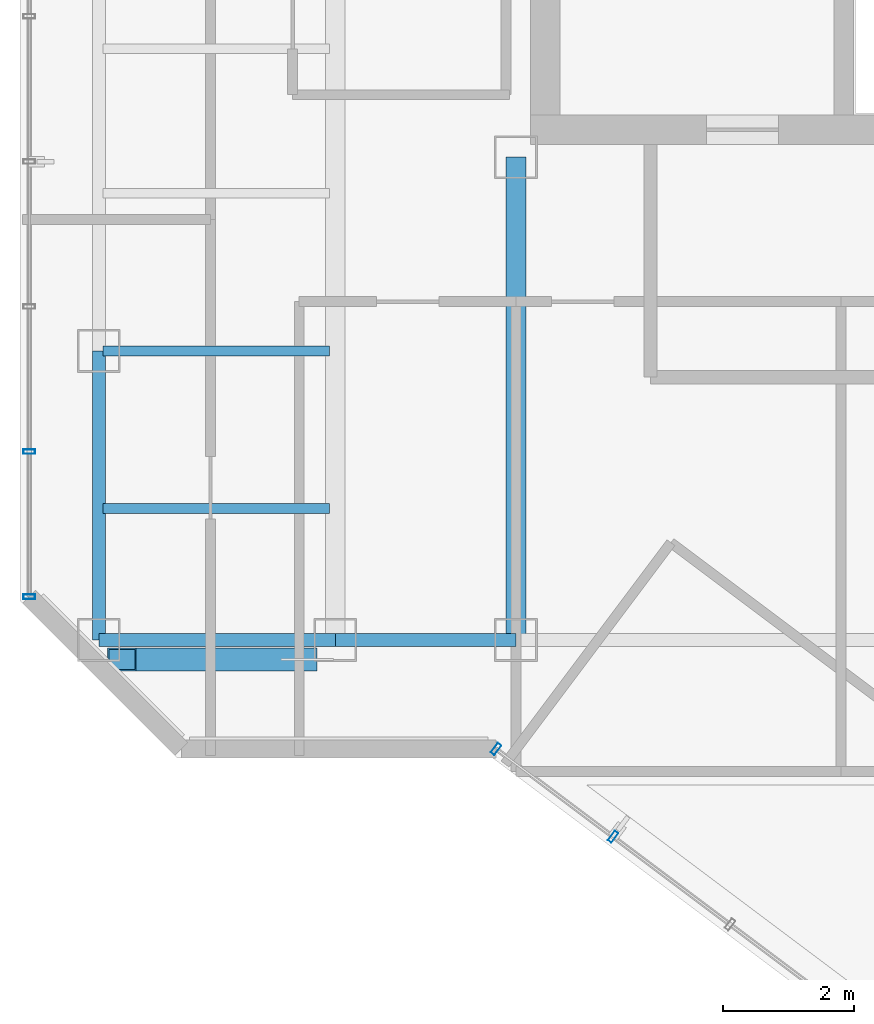
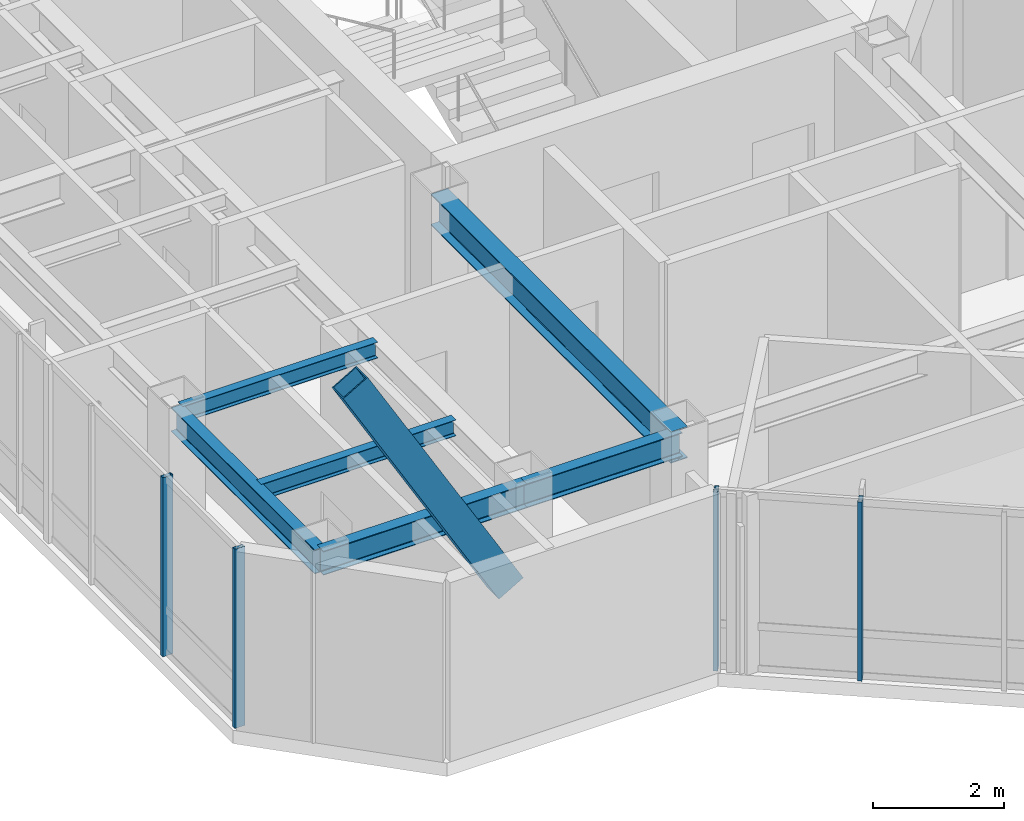
# One storey, part 3 of 22: 6 beams, 5 members, 2 elements without a shape of their own.
"""IFC4 building model written with IfcOpenShell, lengths in metres."""

from ifc_helpers import new_model, si_unit, direction, frame, origin, origin_2d, place, context, subcontext, project, spatial, hollow_rectangle, i_section, extrude, material, layer, layer_set, material_profile, profile_set, type_object, element, aggregate, save


model = new_model("IFC4")

# Units and contexts
model_context = context("Model", 3, precision=1e-05, world=origin(), true_north=direction((0.0, 1.0)))
body_context = subcontext(model_context, "Body", "Model", "MODEL_VIEW")
ifc_project = project(units=[si_unit("LENGTHUNIT", "METRE"), si_unit("AREAUNIT", "SQUARE_METRE"), si_unit("VOLUMEUNIT", "CUBIC_METRE"), si_unit("PLANEANGLEUNIT", "RADIAN"), si_unit("MASSUNIT", "GRAM", prefix="KILO")], contexts=[model_context])

# Site, building, storey
site_placement = place(None, origin())
site = spatial("IfcSite", under=ifc_project, at=site_placement, CompositionType="ELEMENT")
building_placement = place(site_placement, origin())
building = spatial("IfcBuilding", under=site, at=building_placement, Name="Hatsunagi Terrace Concourse", CompositionType="ELEMENT")
storey_placement = place(building_placement, frame((0.0, 0.0, 243.14990234375)))
storey = spatial("IfcBuildingStorey", under=building, at=storey_placement, Name="L64", CompositionType="ELEMENT", Elevation=243.14990234375)

# Curtain wall, members
ifc_material_1 = material(Name="Anodised Aluminium Alloy 6063-T5", Category="aluminium")
ifc_layer = layer(ifc_material_1, 0.199951171875)
ifc_layer_set = layer_set([ifc_layer], Name="OfficeZone2_CW04")
curtain_wall_type = type_object("IfcCurtainWallType", Name="OfficeZone2_CW04", PredefinedType="NOTDEFINED", material=ifc_layer_set)
curtain_wall_1_placement = place(storey_placement, origin())
curtain_wall_1 = element("IfcCurtainWall", 1, at=curtain_wall_1_placement, inside=storey, type_object=curtain_wall_type, Name="Unitised Curtain Wall CW-04 CW-L64-05", PredefinedType="NOTDEFINED")
ifc_material_2 = material(Name="Anodised Aluminium Alloy 6063-T5", Category="aluminium")
ifc_material_profile_1 = material_profile(ifc_material_2, hollow_rectangle(XDim=0.070068359375, YDim=0.179931640625, WallThickness=0.00390625, at=origin_2d()), Name="ALU-MUL-180x70x4")
ifc_profile_set_1 = profile_set([ifc_material_profile_1], Name="Anodised Aluminium Alloy 6063-T5")
member_type_1 = type_object("IfcMemberType", Name="CurtainWallMullion_180x70", PredefinedType="MULLION", material=ifc_profile_set_1)
member_1_placement = place(storey_placement, frame((27.029052734375, 22.2041015625, 0.0), z_axis=(0.0, 0.0, 1.0), x_axis=(-0.800007305671, 0.599990258982, 0.0)))
member_1 = element("IfcMember", 2, at=member_1_placement, type_object=member_type_1, Name="Curtain Wall Mullion MUL-02", PredefinedType="MULLION", context=body_context, shape_type="SweptSolid", body=[
    extrude(hollow_rectangle(XDim=0.070068359375, YDim=0.179931640625, WallThickness=0.00390625, at=origin_2d()), origin(), (0.0, 0.0, 1.0), 3.35009765625),
])
member_2_placement = place(storey_placement, frame((25.2470703125, 23.5400390625, 0.0), z_axis=(0.0, 0.0, 1.0), x_axis=(-0.800007305671, 0.599990258982, 0.0)))
member_2 = element("IfcMember", 3, at=member_2_placement, type_object=member_type_1, Name="Curtain Wall Mullion MUL-02", PredefinedType="MULLION", context=body_context, shape_type="SweptSolid", body=[
    extrude(hollow_rectangle(XDim=0.070068359375, YDim=0.179931640625, WallThickness=0.00390625, at=origin_2d()), origin(), (0.0, 0.0, 1.0), 3.35009765625),
])
aggregate(curtain_wall_1, [member_1, member_2])

curtain_wall_2_placement = place(storey_placement, origin())
curtain_wall_2 = element("IfcCurtainWall", 4, at=curtain_wall_2_placement, inside=storey, type_object=curtain_wall_type, Name="Unitised Curtain Wall CW-04 CW-L64-08", PredefinedType="NOTDEFINED")
member_3_placement = place(storey_placement, frame((18.139892578125, 25.85791015625, 0.0), z_axis=(0.0, 0.0, 1.0), x_axis=(0.0, 1.0, 0.0)))
member_3 = element("IfcMember", 5, at=member_3_placement, type_object=member_type_1, Name="Curtain Wall Mullion MUL-02", PredefinedType="MULLION", context=body_context, shape_type="SweptSolid", body=[
    extrude(hollow_rectangle(XDim=0.070068359375, YDim=0.179931640625, WallThickness=0.00390625, at=origin_2d()), origin(), (0.0, 0.0, 1.0), 3.35009765625),
])
member_4_placement = place(storey_placement, frame((18.139892578125, 28.06591796875, 0.0), z_axis=(0.0, 0.0, 1.0), x_axis=(0.0, 1.0, 0.0)))
member_4 = element("IfcMember", 6, at=member_4_placement, type_object=member_type_1, Name="Curtain Wall Mullion MUL-02", PredefinedType="MULLION", context=body_context, shape_type="SweptSolid", body=[
    extrude(hollow_rectangle(XDim=0.070068359375, YDim=0.179931640625, WallThickness=0.00390625, at=origin_2d()), origin(), (0.0, 0.0, 1.0), 3.35009765625),
])
aggregate(curtain_wall_2, [member_3, member_4])

# Beams
ifc_material_3 = material(Name="Steel SN490B", Category="steel")
ifc_material_profile_2 = material_profile(ifc_material_3, i_section(OverallWidth=0.300048828125, OverallDepth=0.587890625, WebThickness=0.011962890625, FlangeThickness=0.02001953125, FilletRadius=0.01806640625, at=origin_2d()), Name="H-588x300x12x20")
ifc_profile_set_2 = profile_set([ifc_material_profile_2], Name="Steel SN490B")
beam_type_1 = type_object("IfcBeamType", Name="OfficeHighGirder_H_588x300", PredefinedType="BEAM", material=ifc_profile_set_2)
beam_1_placement = place(storey_placement, frame((25.550048828125, 25.199951171875, 3.05615234375), z_axis=(0.0, 1.0, 0.0), x_axis=(-1.0, 0.0, 0.0)))
element("IfcBeam", 7, at=beam_1_placement, inside=storey, type_object=beam_type_1, Name="Beam G-06 BM-L64-K1CA", PredefinedType="BEAM", context=body_context, shape_type="SweptSolid", body=[
    extrude(i_section(OverallWidth=0.300048828125, OverallDepth=0.587890625, WebThickness=0.011962890625, FlangeThickness=0.02001953125, FilletRadius=0.01806640625, at=origin_2d()), origin(), (0.0, 0.0, 1.0), 7.35009765625),
])
ifc_material_4 = material(Name="Steel SN490B", Category="steel")
ifc_material_profile_3 = material_profile(ifc_material_4, i_section(OverallWidth=0.14990234375, OverallDepth=0.300048828125, WebThickness=0.006591796875, FlangeThickness=0.009033203125, FilletRadius=0.010986328125, at=origin_2d()), Name="H-300x150x6.5x9")
ifc_profile_set_3 = profile_set([ifc_material_profile_3], Name="Steel SN490B")
beam_type_2 = type_object("IfcBeamType", Name="OfficeJoist_H_300x150", PredefinedType="JOIST", material=ifc_profile_set_3)
for number, where, z_axis, x_axis, name in (
    (8, (19.264892578125, 27.199951171875, 3.2001953125), (1.0, 0.0, 0.0), (0.0, 1.0, 0.0), "Beam J-03 J-L64-W-19-272"),
    (9, (19.264892578125, 29.60009765625, 3.2001953125), (1.0, 0.0, 0.0), (0.0, 1.0, 0.0), "Beam J-03 J-L64-W-19-296"),
):
    element("IfcBeam", number, at=place(storey_placement, frame(where, z_axis=z_axis, x_axis=x_axis)), inside=storey, type_object=beam_type_2, Name=name, PredefinedType="JOIST", context=body_context, shape_type="SweptSolid", body=[
        extrude(i_section(OverallWidth=0.14990234375, OverallDepth=0.300048828125, WebThickness=0.006591796875, FlangeThickness=0.009033203125, FilletRadius=0.010986328125, at=origin_2d()), origin(), (0.0, 0.0, 1.0), 3.4501953125),
    ])
ifc_material_5 = material(Name="Steel SN490B", Category="steel")
ifc_material_profile_4 = material_profile(ifc_material_5, i_section(OverallWidth=0.199951171875, OverallDepth=0.449951171875, WebThickness=0.009033203125, FlangeThickness=0.013916015625, FilletRadius=0.01611328125, at=origin_2d()), Name="H-450x200x9x14")
ifc_profile_set_4 = profile_set([ifc_material_profile_4], Name="Steel SN490B")
beam_type_3 = type_object("IfcBeamType", Name="PerimeterSpandrel_H_450x200", PredefinedType="SPANDREL", material=ifc_profile_set_4)
beam_2_placement = place(storey_placement, frame((19.199951171875, 25.199951171875, 3.125), z_axis=(1.0, 0.0, 0.0), x_axis=(0.0, 1.0, 0.0)))
element("IfcBeam", 10, at=beam_2_placement, inside=storey, type_object=beam_type_3, Name="Beam SP-02 BM-L64-WS-19", PredefinedType="SPANDREL", context=body_context, shape_type="SweptSolid", body=[
    extrude(i_section(OverallWidth=0.199951171875, OverallDepth=0.449951171875, WebThickness=0.009033203125, FlangeThickness=0.013916015625, FilletRadius=0.01611328125, at=origin_2d()), origin(), (0.0, 0.0, 1.0), 3.60009765625),
])
beam_3_placement = place(storey_placement, frame((22.800048828125, 25.199951171875, 3.125), z_axis=(1.0, 0.0, 0.0), x_axis=(0.0, 1.0, 0.0)))
element("IfcBeam", 11, at=beam_3_placement, inside=storey, type_object=beam_type_3, Name="Beam SP-02 BM-L64-WS-22", PredefinedType="SPANDREL", context=body_context, shape_type="SweptSolid", body=[
    extrude(i_section(OverallWidth=0.199951171875, OverallDepth=0.449951171875, WebThickness=0.009033203125, FlangeThickness=0.013916015625, FilletRadius=0.01611328125, at=origin_2d()), origin(), (0.0, 0.0, 1.0), 2.75),
])
beam_4_placement = place(storey_placement, frame((19.199951171875, 25.199951171875, 3.125), z_axis=(0.0, 1.0, 0.0), x_axis=(-1.0, 0.0, 0.0)))
element("IfcBeam", 12, at=beam_4_placement, inside=storey, type_object=beam_type_3, Name="Beam SP-02 BM-L64-NS-19-25", PredefinedType="SPANDREL", context=body_context, shape_type="SweptSolid", body=[
    extrude(i_section(OverallWidth=0.199951171875, OverallDepth=0.449951171875, WebThickness=0.009033203125, FlangeThickness=0.013916015625, FilletRadius=0.01611328125, at=origin_2d()), origin(), (0.0, 0.0, 1.0), 4.400146484375),
])

# Member
ifc_material_6 = material(Name="Steel SN490B", Category="steel")
ifc_material_profile_5 = material_profile(ifc_material_6, hollow_rectangle(XDim=0.35009765625, YDim=0.5, WallThickness=0.02197265625, at=origin_2d()), Name="RHS-500x350x22")
ifc_profile_set_5 = profile_set([ifc_material_profile_5], Name="Steel SN490B")
member_type_2 = type_object("IfcMemberType", Name="PerimeterXBrace_Upper_RHS_500x350x22", PredefinedType="BRACE", material=ifc_profile_set_5)
member_5_placement = place(storey_placement, frame((19.550048828125, 24.89990234375, 6.510009765625), z_axis=(0.504438138691, 0.0, -0.863447835271), x_axis=(0.0, 1.0, 0.0)))
element("IfcMember", 13, at=member_5_placement, inside=storey, type_object=member_type_2, Name="Perimeter X-Brace Split Upper XB-03 XB-L63-W1B1", PredefinedType="BRACE", context=body_context, shape_type="SweptSolid", body=[
    extrude(hollow_rectangle(XDim=0.35009765625, YDim=0.5, WallThickness=0.02197265625, at=origin_2d()), origin(), (0.0, 0.0, 1.0), 5.45947265625),
])

save(model, "model.ifc")
